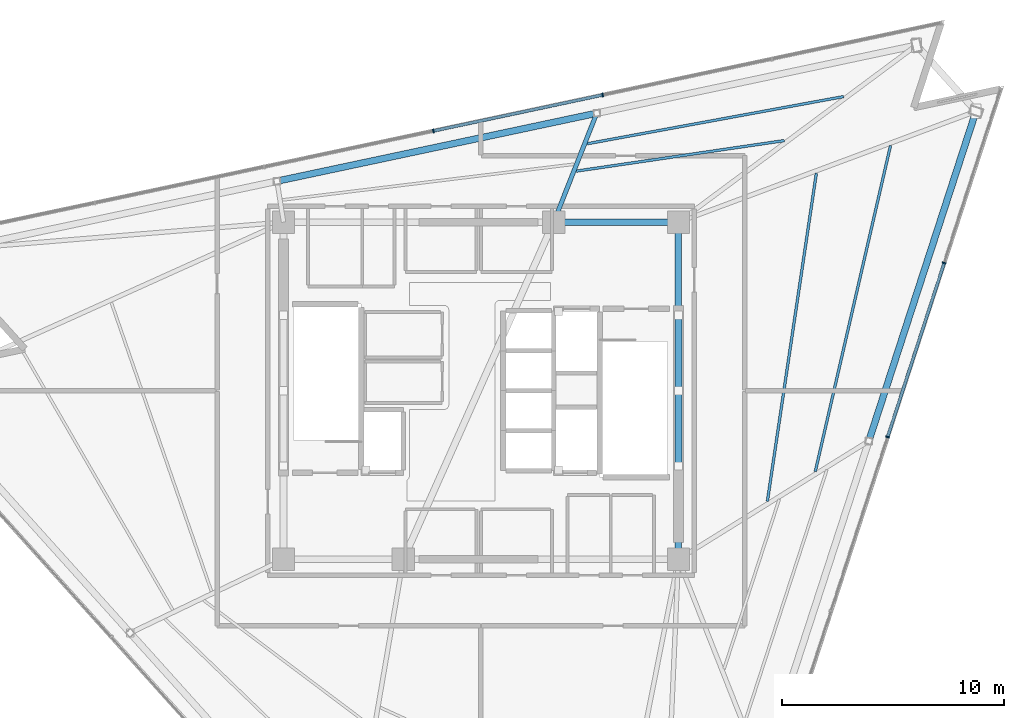
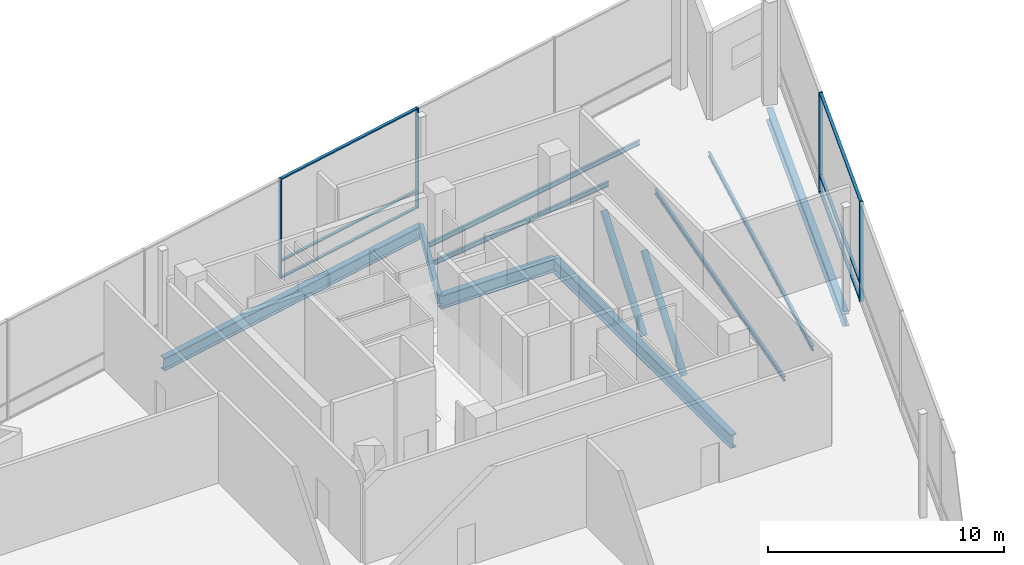
# One storey, part 8 of 14: 12 members, 9 beams, 2 elements without a shape of their own.
"""IFC4 building model written with IfcOpenShell, lengths in metres."""

from ifc_helpers import new_model, si_unit, direction, frame, origin, origin_2d, place, context, subcontext, project, spatial, rectangle, hollow_circle, i_section, extrude, material, layer, layer_set, material_profile, profile_set, type_object, element, aggregate, save


model = new_model("IFC4")

# Units and contexts
model_context = context("Model", 3, precision=1e-05, world=origin(), true_north=direction((0.0, 1.0)))
body_context = subcontext(model_context, "Body", "Model", "MODEL_VIEW")
ifc_project = project(units=[si_unit("LENGTHUNIT", "METRE"), si_unit("AREAUNIT", "SQUARE_METRE"), si_unit("VOLUMEUNIT", "CUBIC_METRE"), si_unit("PLANEANGLEUNIT", "RADIAN"), si_unit("MASSUNIT", "GRAM", prefix="KILO")], contexts=[model_context])

# Site, building, storey
site_placement = place(None, origin())
site = spatial("IfcSite", under=ifc_project, at=site_placement, CompositionType="ELEMENT")
building_placement = place(site_placement, origin())
building = spatial("IfcBuilding", under=site, at=building_placement, Name="Tharavind Bronze Gate", CompositionType="ELEMENT")
storey_placement = place(building_placement, frame((0.0, 0.0, 310.85009765625)))
storey = spatial("IfcBuildingStorey", under=building, at=storey_placement, Name="L80", CompositionType="ELEMENT", Elevation=310.85009765625)

# Members
ifc_material_1 = material(Name="Steel S355", Category="steel")
ifc_material_profile_1 = material_profile(ifc_material_1, hollow_circle(Radius=0.161865234375, WallThickness=0.01611328125, at=origin_2d()), Name="CHS323X16")
ifc_profile_set_1 = profile_set([ifc_material_profile_1], Name="Steel S355")
member_type_1 = type_object("IfcMemberType", Name="CROWN BRACE CHS323", PredefinedType="BRACE", material=ifc_profile_set_1)
for number, where, z_axis, x_axis, name in (
    (1, (8.89990234375, -3.39990234375, 0.25), (0.0, 0.607111853725, 0.794616383588), (-1.0, 0.0, 0.0), "L80 internal plant frame brace 3"),
    (2, (8.89990234375, 0.0, 0.25), (0.0, 0.607111853725, 0.794616383588), (-1.0, 0.0, 0.0), "L80 internal plant frame brace 4"),
):
    element("IfcMember", number, at=place(storey_placement, frame(where, z_axis=z_axis, x_axis=x_axis)), inside=storey, type_object=member_type_1, Name=name, PredefinedType="BRACE", context=body_context, shape_type="SweptSolid", body=[
        extrude(hollow_circle(Radius=0.161865234375, WallThickness=0.01611328125, at=origin_2d()), origin(), (0.0, 0.0, 1.0), 5.60009765625),
    ])

# Curtain wall, members
ifc_material_2 = material(Name="Anodised Bronze Aluminium", Category="aluminium")
ifc_layer = layer(ifc_material_2, 0.219970703125)
ifc_layer_set = layer_set([ifc_layer], Name="Anodised Bronze Aluminium")
curtain_wall_type = type_object("IfcCurtainWallType", Name="UNITISED CURTAIN WALL CROWN", PredefinedType="USERDEFINED", material=ifc_layer_set)
curtain_wall_1_placement = place(storey_placement, origin())
curtain_wall_1 = element("IfcCurtainWall", 3, at=curtain_wall_1_placement, inside=storey, type_object=curtain_wall_type, Name="L80 unitised curtain wall crown CW-L80-S2", ObjectType="UNITISED CURTAIN WALL", PredefinedType="USERDEFINED")
member_type_2 = type_object("IfcMemberType", Name="CURTAIN WALL BRONZE MULLION 65X180", PredefinedType="MULLION", material=ifc_material_2)
member_1_placement = place(storey_placement, frame((18.336181640625, -2.08544921875, 0.0), z_axis=(0.0, 0.0, 1.0), x_axis=(0.309016994375, 0.951056516295, 0.0)))
member_1 = element("IfcMember", 4, at=member_1_placement, type_object=member_type_2, Name="CW-L80-S2 mullion 5", PredefinedType="MULLION", context=body_context, shape_type="SweptSolid", body=[
    extrude(rectangle(XDim=0.06494140625, YDim=0.179931640625, at=origin_2d()), origin(), (0.0, 0.0, 1.0), 5.179931640625),
])
member_2_placement = place(storey_placement, frame((20.885009765625, 5.759033203125, 0.0), z_axis=(0.0, 0.0, 1.0), x_axis=(0.309016994375, 0.951056516295, 0.0)))
member_2 = element("IfcMember", 5, at=member_2_placement, type_object=member_type_2, Name="CW-L80-S2 mullion 6", PredefinedType="MULLION", context=body_context, shape_type="SweptSolid", body=[
    extrude(rectangle(XDim=0.06494140625, YDim=0.179931640625, at=origin_2d()), origin(), (0.0, 0.0, 1.0), 5.179931640625),
])

curtain_wall_2_placement = place(storey_placement, origin())
curtain_wall_2 = element("IfcCurtainWall", 6, at=curtain_wall_2_placement, inside=storey, type_object=curtain_wall_type, Name="L80 unitised curtain wall crown CW-L80-S3", ObjectType="UNITISED CURTAIN WALL", PredefinedType="USERDEFINED")
member_3_placement = place(storey_placement, frame((5.487548828125, 13.33740234375, 0.0), z_axis=(0.0, 0.0, 1.0), x_axis=(-0.978147237858, -0.207913398007, 0.0)))
member_3 = element("IfcMember", 7, at=member_3_placement, type_object=member_type_2, Name="CW-L80-S3 mullion 3", PredefinedType="MULLION", context=body_context, shape_type="SweptSolid", body=[
    extrude(rectangle(XDim=0.06494140625, YDim=0.179931640625, at=origin_2d()), origin(), (0.0, 0.0, 1.0), 5.179931640625),
])
member_4_placement = place(storey_placement, frame((-2.14453125, 11.715087890625, 0.0), z_axis=(0.0, 0.0, 1.0), x_axis=(-0.978147237858, -0.207913398007, 0.0)))
member_4 = element("IfcMember", 8, at=member_4_placement, type_object=member_type_2, Name="CW-L80-S3 mullion 4", PredefinedType="MULLION", context=body_context, shape_type="SweptSolid", body=[
    extrude(rectangle(XDim=0.06494140625, YDim=0.179931640625, at=origin_2d()), origin(), (0.0, 0.0, 1.0), 5.179931640625),
])

# Member
member_type_3 = type_object("IfcMemberType", Name="CURTAIN WALL BRONZE TRANSOM 65X140", PredefinedType="USERDEFINED", material=ifc_material_2)
member_5_placement = place(storey_placement, frame((19.610595703125, 1.8369140625, 0.0), z_axis=(0.0, 0.0, 1.0), x_axis=(0.309016994375, 0.951056516295, 0.0)))
member_5 = element("IfcMember", 9, at=member_5_placement, type_object=member_type_3, Name="CW-L80-S2 transom TB5", ObjectType="TRANSOM", PredefinedType="USERDEFINED", context=body_context, shape_type="SweptSolid", body=[
    extrude(rectangle(XDim=8.195068359375, YDim=0.139892578125, at=origin_2d()), origin(), (0.0, 0.0, 1.0), 0.06494140625),
])

member_6_placement = place(storey_placement, frame((19.610595703125, 1.8369140625, 0.867431640625), z_axis=(0.0, 0.0, 1.0), x_axis=(0.309016994375, 0.951056516295, 0.0)))
member_6 = element("IfcMember", 10, at=member_6_placement, type_object=member_type_3, Name="CW-L80-S2 transom TS5", ObjectType="TRANSOM", PredefinedType="USERDEFINED", context=body_context, shape_type="SweptSolid", body=[
    extrude(rectangle(XDim=8.195068359375, YDim=0.139892578125, at=origin_2d()), origin(), (0.0, 0.0, 1.0), 0.06494140625),
])

member_7_placement = place(storey_placement, frame((19.610595703125, 1.8369140625, 5.114990234375), z_axis=(0.0, 0.0, 1.0), x_axis=(0.309016994375, 0.951056516295, 0.0)))
member_7 = element("IfcMember", 11, at=member_7_placement, type_object=member_type_3, Name="CW-L80-S2 transom TT5", ObjectType="TRANSOM", PredefinedType="USERDEFINED", context=body_context, shape_type="SweptSolid", body=[
    extrude(rectangle(XDim=8.195068359375, YDim=0.139892578125, at=origin_2d()), origin(), (0.0, 0.0, 1.0), 0.06494140625),
])

aggregate(curtain_wall_1, [member_1, member_2, member_5, member_6, member_7])

member_8_placement = place(storey_placement, frame((1.67138671875, 12.526123046875, 0.0), z_axis=(0.0, 0.0, 1.0), x_axis=(-0.978147237858, -0.207913398007, 0.0)))
member_8 = element("IfcMember", 12, at=member_8_placement, type_object=member_type_3, Name="CW-L80-S3 transom TB3", ObjectType="TRANSOM", PredefinedType="USERDEFINED", context=body_context, shape_type="SweptSolid", body=[
    extrude(rectangle(XDim=7.749755859375, YDim=0.139892578125, at=origin_2d()), origin(), (0.0, 0.0, 1.0), 0.06494140625),
])

member_9_placement = place(storey_placement, frame((1.67138671875, 12.526123046875, 0.867431640625), z_axis=(0.0, 0.0, 1.0), x_axis=(-0.978147237858, -0.207913398007, 0.0)))
member_9 = element("IfcMember", 13, at=member_9_placement, type_object=member_type_3, Name="CW-L80-S3 transom TS3", ObjectType="TRANSOM", PredefinedType="USERDEFINED", context=body_context, shape_type="SweptSolid", body=[
    extrude(rectangle(XDim=7.749755859375, YDim=0.139892578125, at=origin_2d()), origin(), (0.0, 0.0, 1.0), 0.06494140625),
])

member_10_placement = place(storey_placement, frame((1.67138671875, 12.526123046875, 5.114990234375), z_axis=(0.0, 0.0, 1.0), x_axis=(-0.978147237858, -0.207913398007, 0.0)))
member_10 = element("IfcMember", 14, at=member_10_placement, type_object=member_type_3, Name="CW-L80-S3 transom TT3", ObjectType="TRANSOM", PredefinedType="USERDEFINED", context=body_context, shape_type="SweptSolid", body=[
    extrude(rectangle(XDim=7.749755859375, YDim=0.139892578125, at=origin_2d()), origin(), (0.0, 0.0, 1.0), 0.06494140625),
])

aggregate(curtain_wall_2, [member_3, member_4, member_8, member_9, member_10])

# Beams
ifc_material_profile_2 = material_profile(ifc_material_1, i_section(OverallWidth=0.300048828125, OverallDepth=0.64990234375, WebThickness=0.01611328125, FlangeThickness=0.031005859375, at=origin_2d()), Name="HE650B")
ifc_profile_set_2 = profile_set([ifc_material_profile_2], Name="Steel S355")
beam_type_1 = type_object("IfcBeamType", Name="PRIMARY GIRDER HE650B", PredefinedType="USERDEFINED", material=ifc_profile_set_2)
beam_1_placement = place(storey_placement, frame((17.4892578125, -2.265380859375, -0.565185546875), z_axis=(0.309011547215, 0.951058286168, 0.0), x_axis=(-0.951058286168, 0.309011547215, 0.0)))
element("IfcBeam", 15, at=beam_1_placement, inside=storey, type_object=beam_type_1, Name="L80 primary girder he650b BM-L80-PRG07", ObjectType="GIRDER", PredefinedType="USERDEFINED", context=body_context, shape_type="SweptSolid", body=[
    extrude(i_section(OverallWidth=0.300048828125, OverallDepth=0.64990234375, WebThickness=0.01611328125, FlangeThickness=0.031005859375, at=origin_2d()), origin(), (0.0, 0.0, 1.0), 15.6298828125),
])
beam_2_placement = place(storey_placement, frame((5.219970703125, 12.513671875, -0.565185546875), z_axis=(-0.97814794647, -0.207910064249, 0.0), x_axis=(0.207910064249, -0.97814794647, 0.0)))
element("IfcBeam", 16, at=beam_2_placement, inside=storey, type_object=beam_type_1, Name="L80 primary girder he650b BM-L80-PRG10", ObjectType="GIRDER", PredefinedType="USERDEFINED", context=body_context, shape_type="SweptSolid", body=[
    extrude(i_section(OverallWidth=0.300048828125, OverallDepth=0.64990234375, WebThickness=0.01611328125, FlangeThickness=0.031005859375, at=origin_2d()), origin(), (0.0, 0.0, 1.0), 14.7392578125),
])
ifc_material_profile_3 = material_profile(ifc_material_1, i_section(OverallWidth=0.199951171875, OverallDepth=0.5, WebThickness=0.01025390625, FlangeThickness=0.01611328125, at=origin_2d()), Name="IPE500")
ifc_profile_set_3 = profile_set([ifc_material_profile_3], Name="Steel S355")
beam_type_2 = type_object("IfcBeamType", Name="PRIMARY GIRDER IPE500", PredefinedType="USERDEFINED", material=ifc_profile_set_3)
beam_3_placement = place(storey_placement, frame((5.219970703125, 12.513671875, -0.489990234375), z_axis=(-0.367227563748, -0.930131128618, 0.0), x_axis=(0.930131128618, -0.367227563748, 0.0)))
element("IfcBeam", 17, at=beam_3_placement, inside=storey, type_object=beam_type_2, Name="L80 primary girder ipe500 BM-L80-RAD10", ObjectType="GIRDER", PredefinedType="USERDEFINED", context=body_context, shape_type="SweptSolid", body=[
    extrude(i_section(OverallWidth=0.199951171875, OverallDepth=0.5, WebThickness=0.01025390625, FlangeThickness=0.01611328125, at=origin_2d()), origin(), (0.0, 0.0, 1.0), 5.28271484375),
])
ifc_material_profile_4 = material_profile(ifc_material_1, i_section(OverallWidth=0.300048828125, OverallDepth=0.699951171875, WebThickness=0.01708984375, FlangeThickness=0.031982421875, at=origin_2d()), Name="HE700B")
ifc_profile_set_4 = profile_set([ifc_material_profile_4], Name="Steel S355")
beam_type_3 = type_object("IfcBeamType", Name="RING GIRDER HE700B", PredefinedType="USERDEFINED", material=ifc_profile_set_4)
beam_4_placement = place(storey_placement, frame((8.89990234375, -7.60009765625, -0.590087890625), z_axis=(0.0, 1.0, 0.0), x_axis=(-1.0, 0.0, 0.0)))
element("IfcBeam", 18, at=beam_4_placement, inside=storey, type_object=beam_type_3, Name="L80 ring girder he700b BM-L80-CR3", ObjectType="GIRDER", PredefinedType="USERDEFINED", context=body_context, shape_type="SweptSolid", body=[
    extrude(i_section(OverallWidth=0.300048828125, OverallDepth=0.699951171875, WebThickness=0.01708984375, FlangeThickness=0.031982421875, at=origin_2d()), origin(), (0.0, 0.0, 1.0), 15.2001953125),
])
beam_5_placement = place(storey_placement, frame((8.89990234375, 7.60009765625, -0.590087890625), z_axis=(-1.0, 0.0, 0.0), x_axis=(0.0, -1.0, 0.0)))
element("IfcBeam", 19, at=beam_5_placement, inside=storey, type_object=beam_type_3, Name="L80 ring girder he700b BM-L80-CR4", ObjectType="GIRDER", PredefinedType="USERDEFINED", context=body_context, shape_type="SweptSolid", body=[
    extrude(i_section(OverallWidth=0.300048828125, OverallDepth=0.699951171875, WebThickness=0.01708984375, FlangeThickness=0.031982421875, at=origin_2d()), origin(), (0.0, 0.0, 1.0), 5.619873046875),
])
ifc_material_profile_5 = material_profile(ifc_material_1, i_section(OverallWidth=0.1201171875, OverallDepth=0.239990234375, WebThickness=0.006103515625, FlangeThickness=0.009765625, at=origin_2d()), Name="IPE240")
ifc_profile_set_5 = profile_set([ifc_material_profile_5], Name="Steel S355")
beam_type_4 = type_object("IfcBeamType", Name="SECONDARY FLOOR JOIST IPE240", PredefinedType="JOIST", material=ifc_profile_set_5)
beam_6_placement = place(storey_placement, frame((12.913818359375, -4.985595703125, -0.360107421875), z_axis=(0.147668368553, 0.989036932035, 0.0), x_axis=(-0.989036932035, 0.147668368553, 0.0)))
element("IfcBeam", 20, at=beam_6_placement, inside=storey, type_object=beam_type_4, Name="L80 secondary floor joist ipe240 BM-L80-JSTA07", PredefinedType="JOIST", context=body_context, shape_type="SweptSolid", body=[
    extrude(i_section(OverallWidth=0.1201171875, OverallDepth=0.239990234375, WebThickness=0.006103515625, FlangeThickness=0.009765625, at=origin_2d()), origin(), (0.0, 0.0, 1.0), 14.95751953125),
])
beam_7_placement = place(storey_placement, frame((15.073974609375, -3.644287109375, -0.360107421875), z_axis=(0.224913878483, 0.974378646762, 0.0), x_axis=(-0.974378646762, 0.224913878483, 0.0)))
element("IfcBeam", 21, at=beam_7_placement, inside=storey, type_object=beam_type_4, Name="L80 secondary floor joist ipe240 BM-L80-JSTB07", PredefinedType="JOIST", context=body_context, shape_type="SweptSolid", body=[
    extrude(i_section(OverallWidth=0.1201171875, OverallDepth=0.239990234375, WebThickness=0.006103515625, FlangeThickness=0.009765625, at=origin_2d()), origin(), (0.0, 0.0, 1.0), 15.0849609375),
])
beam_8_placement = place(storey_placement, frame((13.679931640625, 11.278564453125, -0.360107421875), z_axis=(-0.989403029467, -0.145195197172, 0.0), x_axis=(0.145195197172, -0.989403029467, 0.0)))
element("IfcBeam", 22, at=beam_8_placement, inside=storey, type_object=beam_type_4, Name="L80 secondary floor joist ipe240 BM-L80-JSTA09", PredefinedType="JOIST", context=body_context, shape_type="SweptSolid", body=[
    extrude(i_section(OverallWidth=0.1201171875, OverallDepth=0.239990234375, WebThickness=0.006103515625, FlangeThickness=0.009765625, at=origin_2d()), origin(), (0.0, 0.0, 1.0), 9.47998046875),
])
beam_9_placement = place(storey_placement, frame((16.350341796875, 13.2626953125, -0.360107421875), z_axis=(-0.983492984131, -0.180946263195, 0.0), x_axis=(0.180946263195, -0.983492984131, 0.0)))
element("IfcBeam", 23, at=beam_9_placement, inside=storey, type_object=beam_type_4, Name="L80 secondary floor joist ipe240 BM-L80-JSTB09", PredefinedType="JOIST", context=body_context, shape_type="SweptSolid", body=[
    extrude(i_section(OverallWidth=0.1201171875, OverallDepth=0.239990234375, WebThickness=0.006103515625, FlangeThickness=0.009765625, at=origin_2d()), origin(), (0.0, 0.0, 1.0), 11.75732421875),
])

save(model, "model.ifc")
